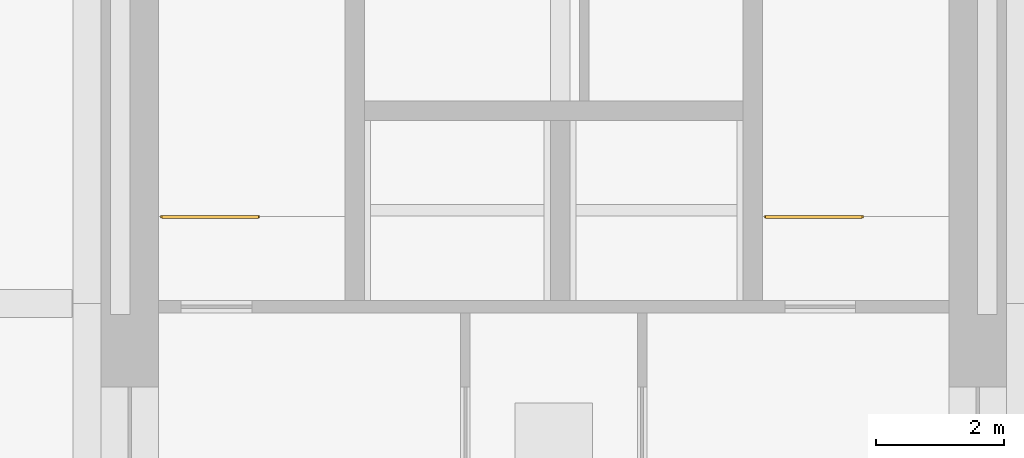
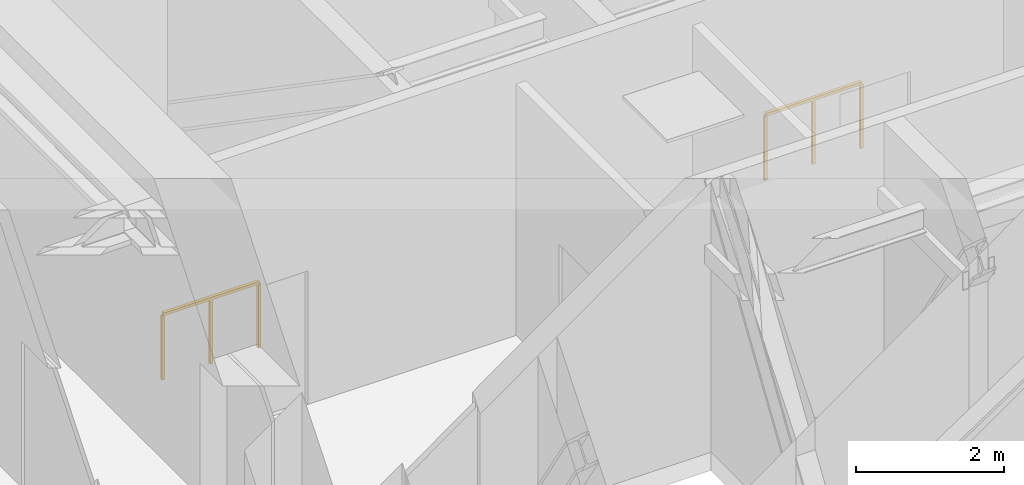
# One storey, part 4 of 4: 2 railings.
"""IFC4 building model written with IfcOpenShell, lengths in metres."""

from ifc_helpers import new_model, si_unit, direction, frame, origin, origin_2d, place, context, subcontext, project, spatial, rectangle, extrude, material, type_object, element, save


model = new_model("IFC4")

# Units and contexts
model_context = context("Model", 3, precision=1e-05, world=origin(), true_north=direction((0.0, 1.0)))
body_context = subcontext(model_context, "Body", "Model", "MODEL_VIEW")
ifc_project = project(units=[si_unit("LENGTHUNIT", "METRE"), si_unit("AREAUNIT", "SQUARE_METRE"), si_unit("VOLUMEUNIT", "CUBIC_METRE"), si_unit("PLANEANGLEUNIT", "RADIAN"), si_unit("MASSUNIT", "GRAM", prefix="KILO")], contexts=[model_context])

# Site, building, storey
site_placement = place(None, origin())
site = spatial("IfcSite", under=ifc_project, at=site_placement, CompositionType="ELEMENT")
building_placement = place(site_placement, origin())
building = spatial("IfcBuilding", under=site, at=building_placement, Name="Nyansa Garden Tower", CompositionType="ELEMENT")
storey_placement = place(building_placement, frame((0.0, 0.0, 254.699951171875)))
storey = spatial("IfcBuildingStorey", under=building, at=storey_placement, Name="L69", CompositionType="ELEMENT", Elevation=254.699951171875)

# Railings
ifc_material = material(Name="Black powder-coated steel balusters", Category="steel")
railing_type = type_object("IfcRailingType", Name="Stair well guard G3", PredefinedType="GUARDRAIL", material=ifc_material)
for number, where, name in (
    (1, (14.14990234375, 21.60009765625, 0.0), "Stair S1 well guard L69"),
    (2, (23.550048828125, 21.60009765625, 0.0), "Stair S2 well guard L69"),
):
    element("IfcRailing", number, at=place(storey_placement, frame(where)), inside=storey, type_object=railing_type, Name=name, PredefinedType="GUARDRAIL", context=body_context, shape_type="SweptSolid", body=[
        extrude(rectangle(XDim=0.048095703125, YDim=0.048095703125, at=origin_2d()), frame((0.0, 0.0, 1.076171875), z_axis=(1.0, 0.0, 0.0), x_axis=(0.0, 1.0, 0.0)), (0.0, 0.0, 1.0), 1.5),
        extrude(rectangle(XDim=0.0419921875, YDim=0.0419921875, at=origin_2d()), origin(), (0.0, 0.0, 1.0), 1.052001953125),
        extrude(rectangle(XDim=0.0419921875, YDim=0.0419921875, at=origin_2d()), frame((0.75, 0.0, 0.0)), (0.0, 0.0, 1.0), 1.052001953125),
        extrude(rectangle(XDim=0.0419921875, YDim=0.0419921875, at=origin_2d()), frame((1.5, 0.0, 0.0)), (0.0, 0.0, 1.0), 1.052001953125),
    ])

save(model, "model.ifc")
